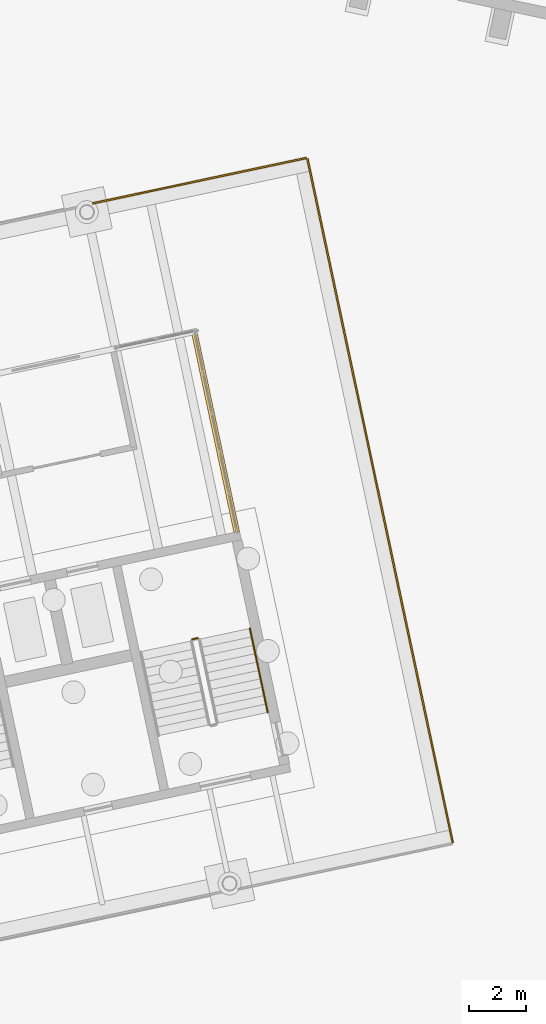
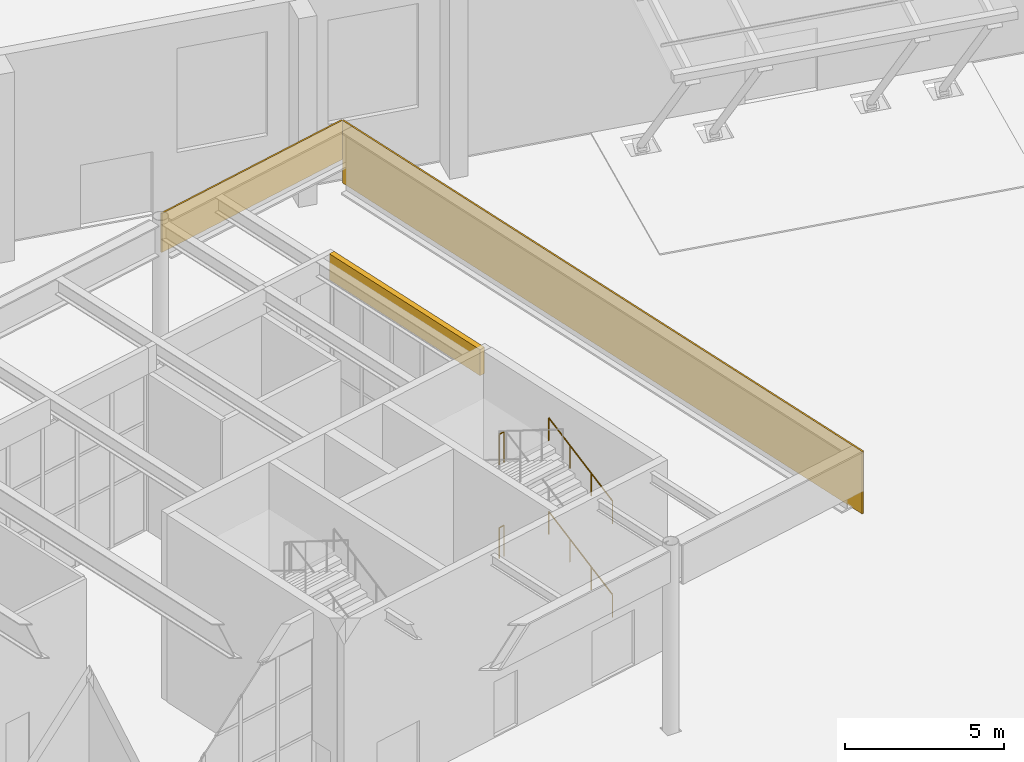
# One storey, part 223 of 239: 4 railings, 3 coverings.
"""IFC4 building model written with IfcOpenShell, lengths in metres."""

from ifc_helpers import new_model, si_unit, direction, frame, origin, origin_2d, place, context, subcontext, project, spatial, rectangle, circle, extrude, material, layer, layer_set, type_object, element, save


model = new_model("IFC4")

# Units and contexts
model_context = context("Model", 3, precision=1e-05, world=origin(), true_north=direction((0.0, 1.0)))
body_context = subcontext(model_context, "Body", "Model", "MODEL_VIEW")
ifc_project = project(units=[si_unit("LENGTHUNIT", "METRE"), si_unit("AREAUNIT", "SQUARE_METRE"), si_unit("VOLUMEUNIT", "CUBIC_METRE"), si_unit("PLANEANGLEUNIT", "RADIAN"), si_unit("MASSUNIT", "GRAM", prefix="KILO")], contexts=[model_context])

# Site, building, storey
site_placement = place(None, origin())
site = spatial("IfcSite", under=ifc_project, at=site_placement, CompositionType="ELEMENT")
building_placement = place(site_placement, origin())
building = spatial("IfcBuilding", under=site, at=building_placement, Name="Okhra Congress Centre", CompositionType="ELEMENT")
storey_placement = place(building_placement, origin())
storey = spatial("IfcBuildingStorey", under=building, at=storey_placement, Name="L00", CompositionType="ELEMENT", Elevation=0.0)

# Coverings
ifc_material_1 = material(Name="Dark bronze anodised aluminium fascia panel", Category="aluminium")
ifc_layer_1 = layer(ifc_material_1, 0.06005859375)
ifc_layer_set_1 = layer_set([ifc_layer_1], Name="Dark bronze fascia strip 60")
covering_type_1 = type_object("IfcCoveringType", Name="Dark bronze fascia strip 60", PredefinedType="CLADDING", material=ifc_layer_set_1)
covering_1_placement = place(storey_placement, frame((209.612548828125, 83.1923828125, 5.550048828125), z_axis=(0.0, 0.0, 1.0), x_axis=(0.978147600734, 0.207911690818, 0.0)))
element("IfcCovering", 1, at=covering_1_placement, inside=storey, type_object=covering_type_1, Name="Girder fascia strip", PredefinedType="CLADDING", context=body_context, shape_type="SweptSolid", body=[
    extrude(rectangle(XDim=7.64599609375, YDim=0.06005859375, at=origin_2d()), origin(), (0.0, 0.0, 1.0), 1.5),
])
covering_2_placement = place(storey_placement, frame((215.929443359375, 72.00634765625, 4.650146484375), z_axis=(0.0, 0.0, 1.0), x_axis=(0.978147600734, 0.207911690818, 0.0)))
element("IfcCovering", 2, at=covering_2_placement, inside=storey, type_object=covering_type_1, Name="Girder fascia strip", PredefinedType="CLADDING", context=body_context, shape_type="SweptSolid", body=[
    extrude(rectangle(XDim=0.06005859375, YDim=24.449951171875, at=origin_2d()), origin(), (0.0, 0.0, 1.0), 2.39990234375),
])
ifc_material_2 = material(Name="Insulated metal sandwich panel (mineral wool core)")
ifc_layer_2 = layer(ifc_material_2, 0.199951171875)
ifc_layer_set_2 = layer_set([ifc_layer_2], Name="Insulated fascia cladding panel 200")
covering_type_2 = type_object("IfcCoveringType", Name="Insulated fascia cladding panel 200", PredefinedType="CLADDING", material=ifc_layer_set_2)
covering_3_placement = place(storey_placement, frame((210.1796875, 74.3828125, 6.050048828125), z_axis=(0.0, 0.0, 1.0), x_axis=(-0.207911690818, 0.978147600734, 0.0)))
element("IfcCovering", 3, at=covering_3_placement, inside=storey, type_object=covering_type_2, Name="Fascia over glazing", PredefinedType="CLADDING", context=body_context, shape_type="SweptSolid", body=[
    extrude(rectangle(XDim=7.090087890625, YDim=0.199951171875, at=origin_2d()), origin(), (0.0, 0.0, 1.0), 1.0),
])

# Railings
ifc_material_3 = material(Name="Painted steel tube handrail on wall brackets", Category="steel")
railing_type_1 = type_object("IfcRailingType", Name="Steel handrail 900", PredefinedType="HANDRAIL", material=ifc_material_3)
railing_1_placement = place(storey_placement, frame((212.002685546875, 64.60302734375, 0.16357421875)))
element("IfcRailing", 4, at=railing_1_placement, inside=storey, type_object=railing_type_1, Name="L00 BS5B stair handrail 1", PredefinedType="HANDRAIL", context=body_context, shape_type="SweptSolid", body=[
    extrude(circle(Radius=0.02392578125, at=origin_2d()), frame((0.0, 0.0, 0.8759765625), z_axis=(-0.182528576341, 0.858705865993, 0.47886068384), x_axis=(-0.978146440129, -0.207917150959, 0.0)), (0.0, 0.0, 1.0), 3.41748046875),
    extrude(circle(Radius=0.02099609375, at=origin_2d()), origin(), (0.0, 0.0, 1.0), 0.851806640625),
    extrude(circle(Radius=0.02099609375, at=origin_2d()), frame((-0.2080078125, 0.978271484375, 0.54541015625)), (0.0, 0.0, 1.0), 0.851806640625),
    extrude(circle(Radius=0.02099609375, at=origin_2d()), frame((-0.415771484375, 1.956298828125, 1.091064453125)), (0.0, 0.0, 1.0), 0.851806640625),
    extrude(circle(Radius=0.02099609375, at=origin_2d()), frame((-0.623779296875, 2.9345703125, 1.636474609375)), (0.0, 0.0, 1.0), 0.851806640625),
])
railing_2_placement = place(storey_placement, frame((212.002685546875, 64.60302734375, 3.763671875)))
element("IfcRailing", 5, at=railing_2_placement, inside=storey, type_object=railing_type_1, Name="L00 BS5B stair handrail 3", PredefinedType="HANDRAIL", context=body_context, shape_type="SweptSolid", body=[
    extrude(circle(Radius=0.02392578125, at=origin_2d()), frame((0.0, 0.0, 0.8759765625), z_axis=(-0.182534820441, 0.858735241371, 0.478805622934), x_axis=(-0.978146440129, -0.207917150959, 0.0)), (0.0, 0.0, 1.0), 3.417236328125),
    extrude(circle(Radius=0.02099609375, at=origin_2d()), origin(), (0.0, 0.0, 1.0), 0.851806640625),
    extrude(circle(Radius=0.02099609375, at=origin_2d()), frame((-0.2080078125, 0.978271484375, 0.54541015625)), (0.0, 0.0, 1.0), 0.851806640625),
    extrude(circle(Radius=0.02099609375, at=origin_2d()), frame((-0.415771484375, 1.956298828125, 1.0908203125)), (0.0, 0.0, 1.0), 0.851806640625),
    extrude(circle(Radius=0.02099609375, at=origin_2d()), frame((-0.623779296875, 2.9345703125, 1.63623046875)), (0.0, 0.0, 1.0), 0.851806640625),
])
ifc_material_4 = material(Name="Painted steel tube guard with vertical steel balusters", Category="steel")
railing_type_2 = type_object("IfcRailingType", Name="Steel stair guard 1200", PredefinedType="GUARDRAIL", material=ifc_material_4)
for number, where, name in (
    (6, (209.55908203125, 67.201904296875, 1.800048828125), "L00 BS5B stair guard 2"),
    (7, (209.55908203125, 67.201904296875, 5.39990234375), "L00 BS5B stair guard 6"),
):
    element("IfcRailing", number, at=place(storey_placement, frame(where)), inside=storey, type_object=railing_type_2, Name=name, PredefinedType="GUARDRAIL", context=body_context, shape_type="SweptSolid", body=[
        extrude(circle(Radius=0.02392578125, at=origin_2d()), frame((0.0, 0.0, 1.17578125), z_axis=(-0.977962931203, -0.208778603291, 0.0), x_axis=(0.208778603291, -0.977962931203, 0.0)), (0.0, 0.0, 1.0), 0.199951171875),
        extrude(circle(Radius=0.02099609375, at=origin_2d()), origin(), (0.0, 0.0, 1.0), 1.15185546875),
        extrude(circle(Radius=0.02099609375, at=origin_2d()), frame((-0.195556640625, -0.041748046875, 0.0)), (0.0, 0.0, 1.0), 1.15185546875),
    ])

save(model, "model.ifc")
